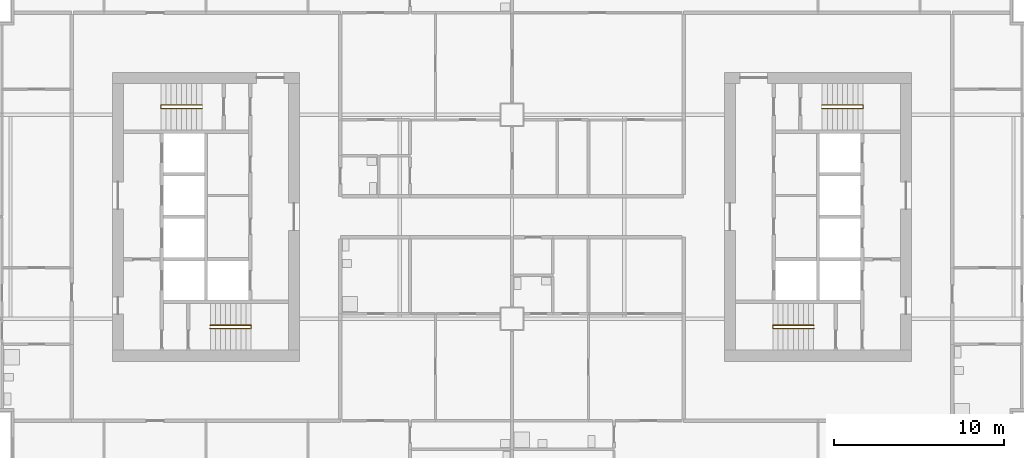
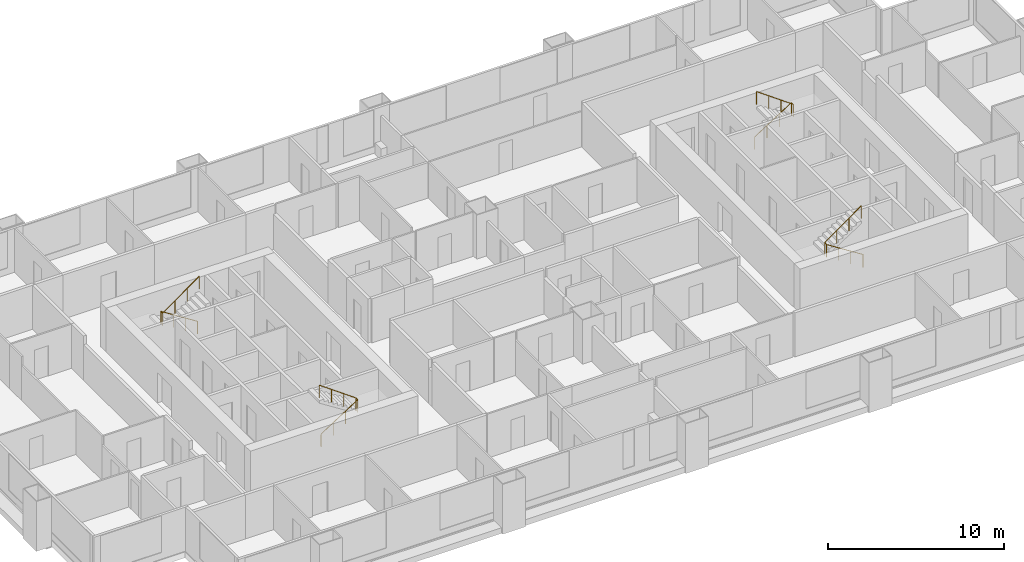
# One storey, part 10 of 11: 4 railings.
"""IFC4 building model written with IfcOpenShell, lengths in metres."""

from ifc_helpers import new_model, si_unit, direction, frame, origin, origin_2d, place, context, subcontext, project, spatial, circle, extrude, material, type_object, element, save


model = new_model("IFC4")

# Units and contexts
model_context = context("Model", 3, precision=1e-05, world=origin(), true_north=direction((0.0, 1.0)))
body_context = subcontext(model_context, "Body", "Model", "MODEL_VIEW")
ifc_project = project(units=[si_unit("LENGTHUNIT", "METRE"), si_unit("AREAUNIT", "SQUARE_METRE"), si_unit("VOLUMEUNIT", "CUBIC_METRE"), si_unit("PLANEANGLEUNIT", "RADIAN"), si_unit("MASSUNIT", "GRAM", prefix="KILO")], contexts=[model_context])

# Site, building, storey
site_placement = place(None, origin())
site = spatial("IfcSite", under=ifc_project, at=site_placement, CompositionType="ELEMENT")
building_placement = place(site_placement, origin())
building = spatial("IfcBuilding", under=site, at=building_placement, Name="Kitamizu Gate Tower and Museum", CompositionType="ELEMENT")
storey_placement = place(building_placement, frame((0.0, 0.0, 103.5)))
storey = spatial("IfcBuildingStorey", under=building, at=storey_placement, Name="L26", CompositionType="ELEMENT", Elevation=103.5)

# Railings
ifc_material = material(Name="Stainless steel SUS304", Category="steel")
railing_type = type_object("IfcRailingType", Name="Stair handrail 900", PredefinedType="HANDRAIL", material=ifc_material)
railing_1_placement = place(storey_placement, frame((18.25, 23.425048828125, 0.191650390625)))
element("IfcRailing", 1, at=railing_1_placement, inside=storey, type_object=railing_type, Name="Stair handrail ST1", PredefinedType="HANDRAIL", context=body_context, shape_type="SweptSolid", body=[
    extrude(circle(Radius=0.02392578125, at=origin_2d()), frame((0.0, 0.0, 0.8759765625), z_axis=(0.842668169335, 0.0, 0.538433242278), x_axis=(0.0, 1.0, 0.0)), (0.0, 0.0, 1.0), 2.847900390625),
    extrude(circle(Radius=0.02392578125, at=origin_2d()), frame((2.39990234375, 0.0, 2.4091796875), z_axis=(0.0, 1.0, 0.0), x_axis=(-1.0, 0.0, 0.0)), (0.0, 0.0, 1.0), 0.199951171875),
    extrude(circle(Radius=0.02392578125, at=origin_2d()), frame((2.39990234375, 0.199951171875, 2.4091796875), z_axis=(-0.81202760531, 0.0, 0.583619026604), x_axis=(0.0, -1.0, 0.0)), (0.0, 0.0, 1.0), 2.955322265625),
    extrude(circle(Radius=0.02099609375, at=origin_2d()), origin(), (0.0, 0.0, 1.0), 0.851806640625),
    extrude(circle(Radius=0.02099609375, at=origin_2d()), frame((0.800048828125, 0.0, 0.51123046875)), (0.0, 0.0, 1.0), 0.851806640625),
    extrude(circle(Radius=0.02099609375, at=origin_2d()), frame((1.599853515625, 0.0, 1.022216796875)), (0.0, 0.0, 1.0), 0.851806640625),
    extrude(circle(Radius=0.02099609375, at=origin_2d()), frame((2.39990234375, 0.0, 1.533447265625)), (0.0, 0.0, 1.0), 0.851806640625),
    extrude(circle(Radius=0.02099609375, at=origin_2d()), frame((2.39990234375, 0.199951171875, 1.533447265625)), (0.0, 0.0, 1.0), 0.851806640625),
    extrude(circle(Radius=0.02099609375, at=origin_2d()), frame((1.599853515625, 0.199951171875, 2.1083984375)), (0.0, 0.0, 1.0), 0.851806640625),
    extrude(circle(Radius=0.02099609375, at=origin_2d()), frame((0.800048828125, 0.199951171875, 2.683349609375)), (0.0, 0.0, 1.0), 0.851806640625),
    extrude(circle(Radius=0.02099609375, at=origin_2d()), frame((0.0, 0.199951171875, 3.25830078125)), (0.0, 0.0, 1.0), 0.851806640625),
])
railing_2_placement = place(storey_placement, frame((17.75, 36.574951171875, 0.191650390625)))
element("IfcRailing", 2, at=railing_2_placement, inside=storey, type_object=railing_type, Name="Stair handrail ST2", PredefinedType="HANDRAIL", context=body_context, shape_type="SweptSolid", body=[
    extrude(circle(Radius=0.02392578125, at=origin_2d()), frame((0.0, 0.0, 0.8759765625), z_axis=(-0.842668169335, 0.0, 0.538433242278), x_axis=(0.0, -1.0, 0.0)), (0.0, 0.0, 1.0), 2.847900390625),
    extrude(circle(Radius=0.02392578125, at=origin_2d()), frame((-2.39990234375, 0.0, 2.4091796875), z_axis=(0.0, -1.0, 0.0), x_axis=(1.0, 0.0, 0.0)), (0.0, 0.0, 1.0), 0.199951171875),
    extrude(circle(Radius=0.02392578125, at=origin_2d()), frame((-2.39990234375, -0.199951171875, 2.4091796875), z_axis=(0.81202760531, 0.0, 0.583619026604), x_axis=(0.0, 1.0, 0.0)), (0.0, 0.0, 1.0), 2.955322265625),
    extrude(circle(Radius=0.02099609375, at=origin_2d()), origin(), (0.0, 0.0, 1.0), 0.851806640625),
    extrude(circle(Radius=0.02099609375, at=origin_2d()), frame((-0.800048828125, 0.0, 0.51123046875)), (0.0, 0.0, 1.0), 0.851806640625),
    extrude(circle(Radius=0.02099609375, at=origin_2d()), frame((-1.599853515625, 0.0, 1.022216796875)), (0.0, 0.0, 1.0), 0.851806640625),
    extrude(circle(Radius=0.02099609375, at=origin_2d()), frame((-2.39990234375, 0.0, 1.533447265625)), (0.0, 0.0, 1.0), 0.851806640625),
    extrude(circle(Radius=0.02099609375, at=origin_2d()), frame((-2.39990234375, -0.199951171875, 1.533447265625)), (0.0, 0.0, 1.0), 0.851806640625),
    extrude(circle(Radius=0.02099609375, at=origin_2d()), frame((-1.599853515625, -0.199951171875, 2.1083984375)), (0.0, 0.0, 1.0), 0.851806640625),
    extrude(circle(Radius=0.02099609375, at=origin_2d()), frame((-0.800048828125, -0.199951171875, 2.683349609375)), (0.0, 0.0, 1.0), 0.851806640625),
    extrude(circle(Radius=0.02099609375, at=origin_2d()), frame((0.0, -0.199951171875, 3.25830078125)), (0.0, 0.0, 1.0), 0.851806640625),
])
railing_3_placement = place(storey_placement, frame((53.75, 23.425048828125, 0.191650390625)))
element("IfcRailing", 3, at=railing_3_placement, inside=storey, type_object=railing_type, Name="Stair handrail ST3", PredefinedType="HANDRAIL", context=body_context, shape_type="SweptSolid", body=[
    extrude(circle(Radius=0.02392578125, at=origin_2d()), frame((0.0, 0.0, 0.8759765625), z_axis=(-0.842668169335, 0.0, 0.538433242278), x_axis=(0.0, -1.0, 0.0)), (0.0, 0.0, 1.0), 2.847900390625),
    extrude(circle(Radius=0.02392578125, at=origin_2d()), frame((-2.39990234375, 0.0, 2.4091796875), z_axis=(0.0, 1.0, 0.0), x_axis=(-1.0, 0.0, 0.0)), (0.0, 0.0, 1.0), 0.199951171875),
    extrude(circle(Radius=0.02392578125, at=origin_2d()), frame((-2.39990234375, 0.199951171875, 2.4091796875), z_axis=(0.81202760531, 0.0, 0.583619026604), x_axis=(0.0, 1.0, 0.0)), (0.0, 0.0, 1.0), 2.955322265625),
    extrude(circle(Radius=0.02099609375, at=origin_2d()), origin(), (0.0, 0.0, 1.0), 0.851806640625),
    extrude(circle(Radius=0.02099609375, at=origin_2d()), frame((-0.800048828125, 0.0, 0.51123046875)), (0.0, 0.0, 1.0), 0.851806640625),
    extrude(circle(Radius=0.02099609375, at=origin_2d()), frame((-1.599853515625, 0.0, 1.022216796875)), (0.0, 0.0, 1.0), 0.851806640625),
    extrude(circle(Radius=0.02099609375, at=origin_2d()), frame((-2.39990234375, 0.0, 1.533447265625)), (0.0, 0.0, 1.0), 0.851806640625),
    extrude(circle(Radius=0.02099609375, at=origin_2d()), frame((-2.39990234375, 0.199951171875, 1.533447265625)), (0.0, 0.0, 1.0), 0.851806640625),
    extrude(circle(Radius=0.02099609375, at=origin_2d()), frame((-1.599853515625, 0.199951171875, 2.1083984375)), (0.0, 0.0, 1.0), 0.851806640625),
    extrude(circle(Radius=0.02099609375, at=origin_2d()), frame((-0.800048828125, 0.199951171875, 2.683349609375)), (0.0, 0.0, 1.0), 0.851806640625),
    extrude(circle(Radius=0.02099609375, at=origin_2d()), frame((0.0, 0.199951171875, 3.25830078125)), (0.0, 0.0, 1.0), 0.851806640625),
])
railing_4_placement = place(storey_placement, frame((54.25, 36.574951171875, 0.191650390625)))
element("IfcRailing", 4, at=railing_4_placement, inside=storey, type_object=railing_type, Name="Stair handrail ST4", PredefinedType="HANDRAIL", context=body_context, shape_type="SweptSolid", body=[
    extrude(circle(Radius=0.02392578125, at=origin_2d()), frame((0.0, 0.0, 0.8759765625), z_axis=(0.842668169335, 0.0, 0.538433242278), x_axis=(0.0, 1.0, 0.0)), (0.0, 0.0, 1.0), 2.847900390625),
    extrude(circle(Radius=0.02392578125, at=origin_2d()), frame((2.39990234375, 0.0, 2.4091796875), z_axis=(0.0, -1.0, 0.0), x_axis=(1.0, 0.0, 0.0)), (0.0, 0.0, 1.0), 0.199951171875),
    extrude(circle(Radius=0.02392578125, at=origin_2d()), frame((2.39990234375, -0.199951171875, 2.4091796875), z_axis=(-0.81202760531, 0.0, 0.583619026604), x_axis=(0.0, -1.0, 0.0)), (0.0, 0.0, 1.0), 2.955322265625),
    extrude(circle(Radius=0.02099609375, at=origin_2d()), origin(), (0.0, 0.0, 1.0), 0.851806640625),
    extrude(circle(Radius=0.02099609375, at=origin_2d()), frame((0.800048828125, 0.0, 0.51123046875)), (0.0, 0.0, 1.0), 0.851806640625),
    extrude(circle(Radius=0.02099609375, at=origin_2d()), frame((1.599853515625, 0.0, 1.022216796875)), (0.0, 0.0, 1.0), 0.851806640625),
    extrude(circle(Radius=0.02099609375, at=origin_2d()), frame((2.39990234375, 0.0, 1.533447265625)), (0.0, 0.0, 1.0), 0.851806640625),
    extrude(circle(Radius=0.02099609375, at=origin_2d()), frame((2.39990234375, -0.199951171875, 1.533447265625)), (0.0, 0.0, 1.0), 0.851806640625),
    extrude(circle(Radius=0.02099609375, at=origin_2d()), frame((1.599853515625, -0.199951171875, 2.1083984375)), (0.0, 0.0, 1.0), 0.851806640625),
    extrude(circle(Radius=0.02099609375, at=origin_2d()), frame((0.800048828125, -0.199951171875, 2.683349609375)), (0.0, 0.0, 1.0), 0.851806640625),
    extrude(circle(Radius=0.02099609375, at=origin_2d()), frame((0.0, -0.199951171875, 3.25830078125)), (0.0, 0.0, 1.0), 0.851806640625),
])

save(model, "model.ifc")
